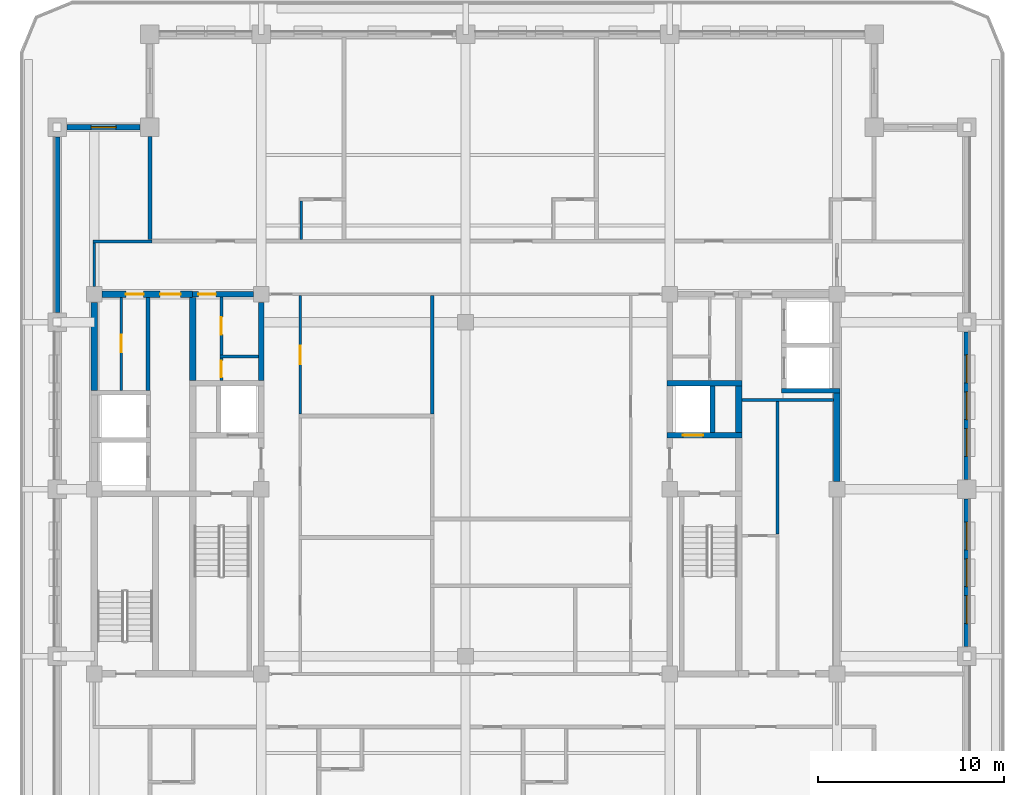
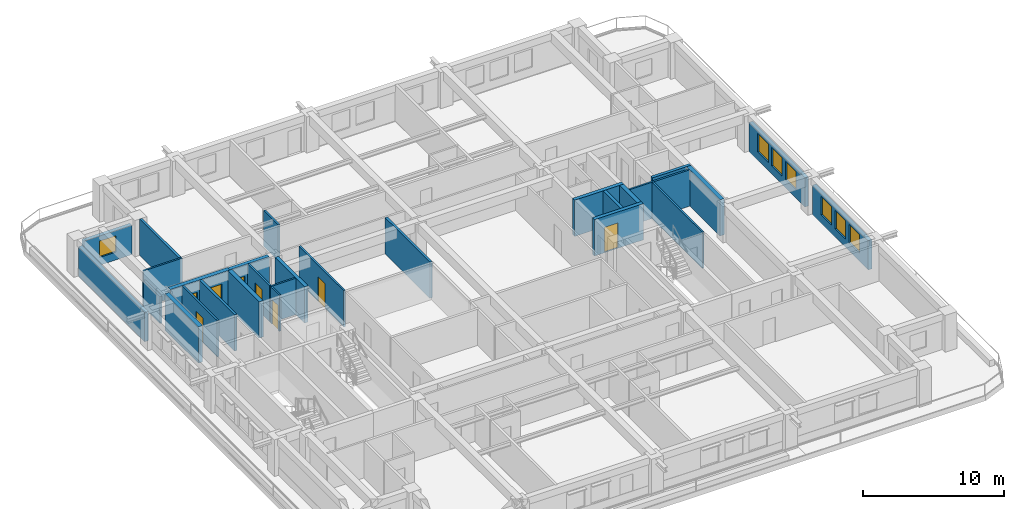
# One storey, part 5 of 13: 28 walls, 8 doors, 7 windows, 15 openings.
"""IFC4 building model written with IfcOpenShell, lengths in metres."""

from ifc_helpers import new_model, si_unit, direction, frame, frame_2d, origin, place, context, subcontext, project, spatial, rectangle, extrude, material, layer, layer_set, type_object, element, fill, save


model = new_model("IFC4")

# Units and contexts
model_context = context("Model", 3, precision=1e-05, world=origin(), true_north=direction((0.0, 1.0)))
body_context = subcontext(model_context, "Body", "Model", "MODEL_VIEW")
ifc_project = project(units=[si_unit("LENGTHUNIT", "METRE"), si_unit("AREAUNIT", "SQUARE_METRE"), si_unit("VOLUMEUNIT", "CUBIC_METRE"), si_unit("PLANEANGLEUNIT", "RADIAN"), si_unit("MASSUNIT", "GRAM", prefix="KILO")], contexts=[model_context])

# Site, building, storey
site_placement = place(None, origin())
site = spatial("IfcSite", under=ifc_project, at=site_placement, CompositionType="ELEMENT")
building_placement = place(site_placement, origin())
building = spatial("IfcBuilding", under=site, at=building_placement, Name="Zulmaris Gate Convention Tower", CompositionType="ELEMENT")
storey_placement = place(building_placement, frame((0.0, 0.0, 176.259765625)))
storey = spatial("IfcBuildingStorey", under=building, at=storey_placement, Name="L45", CompositionType="ELEMENT", Elevation=176.259765625)

# Walls
ifc_material_1 = material(Name="Concrete C50/60", Category="concrete")
ifc_layer_1 = layer(ifc_material_1, 0.25, Name="Concrete C50/60")
ifc_layer_set_1 = layer_set([ifc_layer_1], Name="Concrete C50/60")
wall_type_1 = type_object("IfcWallType", Name="CORE-250", PredefinedType="SOLIDWALL", material=ifc_layer_set_1)
wall_1_placement = place(storey_placement, frame((17.02490234375, 5.300048828125, 0.0), z_axis=(0.0, 0.0, 1.0), x_axis=(1.0, 0.0, 0.0)))
element("IfcWall", 1, at=wall_1_placement, inside=storey, type_object=wall_type_1, Name="WL-L45-011", PredefinedType="SOLIDWALL", context=body_context, shape_type="SweptSolid", body=[
    extrude(rectangle(XDim=3.150146484375, YDim=0.25, at=frame_2d((1.5751953125, 0.0))), origin(), (0.0, 0.0, 1.0), 3.150146484375),
])
wall_2_placement = place(storey_placement, frame((13.300048828125, 3.052001953125, 0.0), z_axis=(0.0, 0.0, 1.0), x_axis=(0.0, 1.0, 0.0)))
element("IfcWall", 2, at=wall_2_placement, inside=storey, type_object=wall_type_1, Name="WL-L45-064", PredefinedType="SOLIDWALL", context=body_context, shape_type="SweptSolid", body=[
    extrude(rectangle(XDim=2.49609375, YDim=0.25, at=frame_2d((1.248046875, 0.0))), origin(), (0.0, 0.0, 1.0), 3.150146484375),
])

# Wall, opening, door
ifc_layer_2 = layer(ifc_material_1, 0.300048828125, Name="Concrete C50/60")
ifc_layer_set_2 = layer_set([ifc_layer_2], Name="Concrete C50/60")
wall_type_2 = type_object("IfcWallType", Name="CORE-300", PredefinedType="SHEAR", material=ifc_layer_set_2)
wall_3_placement = place(storey_placement, frame((10.85009765625, 2.89990234375, 0.0), z_axis=(0.0, 0.0, 1.0), x_axis=(1.0, 0.0, 0.0)))
wall_3 = element("IfcWall", 3, at=wall_3_placement, inside=storey, type_object=wall_type_2, Name="WL-L45-009", PredefinedType="SHEAR", context=body_context, shape_type="SweptSolid", body=[
    extrude(rectangle(XDim=4.02490234375, YDim=0.300048828125, at=frame_2d((2.012451171875, 0.0))), origin(), (0.0, 0.0, 1.0), 3.150146484375),
])
opening_1_placement = place(wall_3_placement, frame((0.85009765625, 0.0, 0.0)))
opening_1 = element("IfcOpeningElement", 4, at=opening_1_placement, cuts=wall_3, Name="Opening D-06", PredefinedType="OPENING", context=body_context, shape_type="SweptSolid", body=[
    extrude(rectangle(XDim=1.10009765625, YDim=2.199951171875, at=frame_2d((0.550048828125, 1.10009765625))), frame((0.0, 0.16015625, 0.0), z_axis=(0.0, -1.0, 0.0), x_axis=(1.0, 0.0, 0.0)), (0.0, 0.0, 1.0), 0.320068359375),
])
ifc_material_2 = material(Name="Brushed Stainless Steel", Category="steel")
door_type_1 = type_object("IfcDoorType", Name="LD-1100", OperationType="NOTDEFINED", PredefinedType="DOOR", material=ifc_material_2)
door_1_placement = place(opening_1_placement, origin())
door_1 = element("IfcDoor", 5, at=door_1_placement, inside=storey, type_object=door_type_1, Name="L45 Lift Landing Door LF-02 06", OperationType="SLIDING_TO_RIGHT", OverallHeight=2.199951171875, OverallWidth=1.10009765625, PredefinedType="DOOR", context=body_context, shape_type="SweptSolid", body=[
    extrude(rectangle(XDim=1.10009765625, YDim=2.199951171875, at=frame_2d((0.550048828125, 1.10009765625))), frame((0.0, 0.02490234375, 0.0), z_axis=(0.0, -1.0, 0.0), x_axis=(1.0, 0.0, 0.0)), (0.0, 0.0, 1.0), 0.050048828125),
])
fill(opening_1, door_1)

# Wall
wall_4_placement = place(storey_placement, frame((10.85009765625, 5.699951171875, 0.0), z_axis=(0.0, 0.0, 1.0), x_axis=(1.0, 0.0, 0.0)))
element("IfcWall", 6, at=wall_4_placement, inside=storey, type_object=wall_type_2, Name="WL-L45-013", PredefinedType="SHEAR", context=body_context, shape_type="SweptSolid", body=[
    extrude(rectangle(XDim=4.02490234375, YDim=0.300048828125, at=frame_2d((2.012451171875, 0.0))), origin(), (0.0, 0.0, 1.0), 3.150146484375),
])

# Wall, opening, door
wall_5_placement = place(storey_placement, frame((-14.699951171875, 10.5, 0.0), z_axis=(0.0, 0.0, 1.0), x_axis=(1.0, 0.0, 0.0)))
wall_5 = element("IfcWall", 7, at=wall_5_placement, inside=storey, type_object=wall_type_2, Name="WL-L45-016", PredefinedType="SHEAR", context=body_context, shape_type="SweptSolid", body=[
    extrude(rectangle(XDim=3.27099609375, YDim=0.300048828125, at=frame_2d((1.635498046875, 0.0))), origin(), (0.0, 0.0, 1.0), 3.150146484375),
])
opening_2_placement = place(wall_5_placement, frame((0.304931640625, 0.0, 0.0)))
opening_2 = element("IfcOpeningElement", 8, at=opening_2_placement, cuts=wall_5, Name="Opening D-11", PredefinedType="OPENING", context=body_context, shape_type="SweptSolid", body=[
    extrude(rectangle(XDim=0.949951171875, YDim=2.14990234375, at=frame_2d((0.47509765625, 1.074951171875))), frame((0.0, 0.16015625, 0.0), z_axis=(0.0, -1.0, 0.0), x_axis=(1.0, 0.0, 0.0)), (0.0, 0.0, 1.0), 0.320068359375),
])
ifc_material_3 = material(Name="Fire-Rated Timber", Category="wood")
door_type_2 = type_object("IfcDoorType", Name="DR-950-FD", OperationType="NOTDEFINED", PredefinedType="DOOR", material=ifc_material_3)
door_2_placement = place(opening_2_placement, origin())
door_2 = element("IfcDoor", 9, at=door_2_placement, inside=storey, type_object=door_type_2, Name="L45 Core West Passage Door 07", OperationType="SINGLE_SWING_RIGHT", OverallHeight=2.14990234375, OverallWidth=0.949951171875, PredefinedType="DOOR", context=body_context, shape_type="SweptSolid", body=[
    extrude(rectangle(XDim=0.949951171875, YDim=2.14990234375, at=frame_2d((0.47509765625, 1.074951171875))), frame((0.0, 0.02490234375, 0.0), z_axis=(0.0, -1.0, 0.0), x_axis=(1.0, 0.0, 0.0)), (0.0, 0.0, 1.0), 0.050048828125),
])
fill(opening_2, door_2)

# Wall
wall_6_placement = place(storey_placement, frame((-11.0, 5.85205078125, 0.0), z_axis=(0.0, 0.0, 1.0), x_axis=(0.0, 1.0, 0.0)))
element("IfcWall", 10, at=wall_6_placement, inside=storey, type_object=wall_type_2, Name="WL-L45-058", PredefinedType="SHEAR", context=body_context, shape_type="SweptSolid", body=[
    extrude(rectangle(XDim=4.218994140625, YDim=0.300048828125, at=frame_2d((2.109375, 0.0))), origin(), (0.0, 0.0, 1.0), 3.150146484375),
])

# Wall, openings, doors
ifc_material_4 = material(Name="Concrete C55/67", Category="concrete")
ifc_layer_3 = layer(ifc_material_4, 0.35009765625, Name="Concrete C55/67")
ifc_layer_set_3 = layer_set([ifc_layer_3], Name="Concrete C55/67")
wall_type_3 = type_object("IfcWallType", Name="CORE-350", PredefinedType="SHEAR", material=ifc_layer_set_3)
wall_7_placement = place(storey_placement, frame((-19.571044921875, 10.5, 0.0), z_axis=(0.0, 0.0, 1.0), x_axis=(1.0, 0.0, 0.0)))
wall_7 = element("IfcWall", 11, at=wall_7_placement, inside=storey, type_object=wall_type_3, Name="WL-L45-015", PredefinedType="SHEAR", context=body_context, shape_type="SweptSolid", body=[
    extrude(rectangle(XDim=4.87109375, YDim=0.35009765625, at=frame_2d((2.435546875, 0.0))), origin(), (0.0, 0.0, 1.0), 3.150146484375),
])
opening_3_placement = place(wall_7_placement, frame((3.12109375, 0.0, 0.0)))
opening_3 = element("IfcOpeningElement", 12, at=opening_3_placement, cuts=wall_7, Name="Opening D-08", PredefinedType="OPENING", context=body_context, shape_type="SweptSolid", body=[
    extrude(rectangle(XDim=1.10009765625, YDim=2.14990234375, at=frame_2d((0.550048828125, 1.074951171875))), frame((0.0, 0.18505859375, 0.0), z_axis=(0.0, -1.0, 0.0), x_axis=(1.0, 0.0, 0.0)), (0.0, 0.0, 1.0), 0.3701171875),
])
opening_4_placement = place(wall_7_placement, frame((1.27587890625, 0.0, 0.0)))
opening_4 = element("IfcOpeningElement", 13, at=opening_4_placement, cuts=wall_7, Name="Opening D-11", PredefinedType="OPENING", context=body_context, shape_type="SweptSolid", body=[
    extrude(rectangle(XDim=0.949951171875, YDim=2.14990234375, at=frame_2d((0.47509765625, 1.074951171875))), frame((0.0, 0.18505859375, 0.0), z_axis=(0.0, -1.0, 0.0), x_axis=(1.0, 0.0, 0.0)), (0.0, 0.0, 1.0), 0.3701171875),
])
ifc_material_5 = material(Name="Fire-Rated Steel", Category="steel")
door_type_3 = type_object("IfcDoorType", Name="DR-1100-FD", OperationType="NOTDEFINED", PredefinedType="DOOR", material=ifc_material_5)
door_3_placement = place(opening_3_placement, origin())
door_3 = element("IfcDoor", 14, at=door_3_placement, inside=storey, type_object=door_type_3, Name="L45 High-Rise West Lift Lobby Door 16", OperationType="SINGLE_SWING_LEFT", OverallHeight=2.14990234375, OverallWidth=1.10009765625, PredefinedType="DOOR", context=body_context, shape_type="SweptSolid", body=[
    extrude(rectangle(XDim=1.10009765625, YDim=2.14990234375, at=frame_2d((0.550048828125, 1.074951171875))), frame((0.0, 0.02490234375, 0.0), z_axis=(0.0, -1.0, 0.0), x_axis=(1.0, 0.0, 0.0)), (0.0, 0.0, 1.0), 0.050048828125),
])
fill(opening_3, door_3)
door_4_placement = place(opening_4_placement, origin())
door_4 = element("IfcDoor", 15, at=door_4_placement, inside=storey, type_object=door_type_2, Name="L45 Tray Closet Door 17", OperationType="SINGLE_SWING_RIGHT", OverallHeight=2.14990234375, OverallWidth=0.949951171875, PredefinedType="DOOR", context=body_context, shape_type="SweptSolid", body=[
    extrude(rectangle(XDim=0.949951171875, YDim=2.14990234375, at=frame_2d((0.47509765625, 1.074951171875))), frame((0.0, 0.02490234375, 0.0), z_axis=(0.0, -1.0, 0.0), x_axis=(1.0, 0.0, 0.0)), (0.0, 0.0, 1.0), 0.050048828125),
])
fill(opening_4, door_4)

# Walls
wall_8_placement = place(storey_placement, frame((-20.0, 5.326904296875, 0.0), z_axis=(0.0, 0.0, 1.0), x_axis=(0.0, 1.0, 0.0)))
element("IfcWall", 16, at=wall_8_placement, inside=storey, type_object=wall_type_3, Name="WL-L45-045", PredefinedType="SHEAR", context=body_context, shape_type="SweptSolid", body=[
    extrude(rectangle(XDim=4.744140625, YDim=0.35009765625, at=frame_2d((2.3720703125, 0.0))), origin(), (0.0, 0.0, 1.0), 3.150146484375),
])
wall_9_placement = place(storey_placement, frame((-14.699951171875, 5.85205078125, 0.0), z_axis=(0.0, 0.0, 1.0), x_axis=(0.0, 1.0, 0.0)))
element("IfcWall", 17, at=wall_9_placement, inside=storey, type_object=wall_type_3, Name="WL-L45-052", PredefinedType="SHEAR", context=body_context, shape_type="SweptSolid", body=[
    extrude(rectangle(XDim=4.470947265625, YDim=0.35009765625, at=frame_2d((2.2353515625, 0.0))), origin(), (0.0, 0.0, 1.0), 3.150146484375),
])
wall_10_placement = place(storey_placement, frame((14.699951171875, 3.052001953125, 0.0), z_axis=(0.0, 0.0, 1.0), x_axis=(0.0, 1.0, 0.0)))
element("IfcWall", 18, at=wall_10_placement, inside=storey, type_object=wall_type_3, Name="WL-L45-067", PredefinedType="SHEAR", context=body_context, shape_type="SweptSolid", body=[
    extrude(rectangle(XDim=2.49609375, YDim=0.35009765625, at=frame_2d((1.248046875, 0.0))), origin(), (0.0, 0.0, 1.0), 3.150146484375),
])
wall_11_placement = place(storey_placement, frame((20.0, 0.428955078125, 0.0), z_axis=(0.0, 0.0, 1.0), x_axis=(0.0, 1.0, 0.0)))
element("IfcWall", 19, at=wall_11_placement, inside=storey, type_object=wall_type_3, Name="WL-L45-071S1", PredefinedType="SHEAR", context=body_context, shape_type="SweptSolid", body=[
    extrude(rectangle(XDim=4.744140625, YDim=0.35009765625, at=frame_2d((2.3720703125, 0.0))), origin(), (0.0, 0.0, 1.0), 3.150146484375),
])
ifc_material_6 = material(Name="Gypsum Metal Stud Partition")
ifc_layer_4 = layer(ifc_material_6, 0.14990234375, Name="Gypsum Metal Stud Partition")
ifc_layer_set_4 = layer_set([ifc_layer_4], Name="Gypsum Metal Stud Partition")
wall_type_4 = type_object("IfcWallType", Name="PART-150", PredefinedType="PARTITIONING", material=ifc_layer_set_4)
wall_12_placement = place(storey_placement, frame((14.8779296875, 4.800048828125, 0.0), z_axis=(0.0, 0.0, 1.0), x_axis=(1.0, 0.0, 0.0)))
element("IfcWall", 20, at=wall_12_placement, inside=storey, type_object=wall_type_4, Name="WL-L45-031", PredefinedType="PARTITIONING", context=body_context, shape_type="SweptSolid", body=[
    extrude(rectangle(XDim=4.944091796875, YDim=0.14990234375, at=frame_2d((2.47216796875, 0.0))), origin(), (0.0, 0.0, 1.0), 3.150146484375),
])
wall_13_placement = place(storey_placement, frame((-13.22509765625, 7.14990234375, 0.0), z_axis=(0.0, 0.0, 1.0), x_axis=(1.0, 0.0, 0.0)))
element("IfcWall", 21, at=wall_13_placement, inside=storey, type_object=wall_type_4, Name="WL-L45-032", PredefinedType="PARTITIONING", context=body_context, shape_type="SweptSolid", body=[
    extrude(rectangle(XDim=2.072021484375, YDim=0.14990234375, at=frame_2d((1.0361328125, 0.0))), origin(), (0.0, 0.0, 1.0), 3.150146484375),
])
wall_14_placement = place(storey_placement, frame((-20.074951171875, 13.35009765625, 0.0), z_axis=(0.0, 0.0, 1.0), x_axis=(1.0, 0.0, 0.0)))
element("IfcWall", 22, at=wall_14_placement, inside=storey, type_object=wall_type_4, Name="WL-L45-036", PredefinedType="PARTITIONING", context=body_context, shape_type="SweptSolid", body=[
    extrude(rectangle(XDim=3.175048828125, YDim=0.14990234375, at=frame_2d((1.58740234375, 0.0))), origin(), (0.0, 0.0, 1.0), 3.150146484375),
])
wall_15_placement = place(storey_placement, frame((-20.0, 10.930908203125, 0.0), z_axis=(0.0, 0.0, 1.0), x_axis=(0.0, 1.0, 0.0)))
element("IfcWall", 23, at=wall_15_placement, inside=storey, type_object=wall_type_4, Name="WL-L45-075", PredefinedType="PARTITIONING", context=body_context, shape_type="SweptSolid", body=[
    extrude(rectangle(XDim=2.341064453125, YDim=0.14990234375, at=frame_2d((1.17041015625, 0.0))), origin(), (0.0, 0.0, 1.0), 2.342041015625),
])

# Wall, opening, door
wall_16_placement = place(storey_placement, frame((-18.550048828125, 5.327880859375, 0.0), z_axis=(0.0, 0.0, 1.0), x_axis=(0.0, 1.0, 0.0)))
wall_16 = element("IfcWall", 24, at=wall_16_placement, inside=storey, type_object=wall_type_4, Name="WL-L45-076", PredefinedType="PARTITIONING", context=body_context, shape_type="SweptSolid", body=[
    extrude(rectangle(XDim=4.994140625, YDim=0.14990234375, at=frame_2d((2.4970703125, 0.0))), origin(), (0.0, 0.0, 1.0), 3.150146484375),
])
opening_5_placement = place(wall_16_placement, frame((2.047119140625, 0.0, 0.0)))
opening_5 = element("IfcOpeningElement", 25, at=opening_5_placement, cuts=wall_16, Name="Opening D-11", PredefinedType="OPENING", context=body_context, shape_type="SweptSolid", body=[
    extrude(rectangle(XDim=0.949951171875, YDim=2.14990234375, at=frame_2d((0.47509765625, 1.074951171875))), frame((0.0, 0.0849609375, 0.0), z_axis=(0.0, -1.0, 0.0), x_axis=(1.0, 0.0, 0.0)), (0.0, 0.0, 1.0), 0.169921875),
])
door_5_placement = place(opening_5_placement, origin())
door_5 = element("IfcDoor", 26, at=door_5_placement, inside=storey, type_object=door_type_2, Name="L45 Housekeeping Door 18", OperationType="SINGLE_SWING_LEFT", OverallHeight=2.14990234375, OverallWidth=0.949951171875, PredefinedType="DOOR", context=body_context, shape_type="SweptSolid", body=[
    extrude(rectangle(XDim=0.949951171875, YDim=2.14990234375, at=frame_2d((0.47509765625, 1.074951171875))), frame((0.0, 0.02490234375, 0.0), z_axis=(0.0, -1.0, 0.0), x_axis=(1.0, 0.0, 0.0)), (0.0, 0.0, 1.0), 0.050048828125),
])
fill(opening_5, door_5)

wall_17_placement = place(storey_placement, frame((-13.14990234375, 5.85302734375, 0.0), z_axis=(0.0, 0.0, 1.0), x_axis=(0.0, 1.0, 0.0)))
wall_17 = element("IfcWall", 27, at=wall_17_placement, inside=storey, type_object=wall_type_4, Name="WL-L45-082", PredefinedType="PARTITIONING", context=body_context, shape_type="SweptSolid", body=[
    extrude(rectangle(XDim=1.218994140625, YDim=0.14990234375, at=frame_2d((0.609375, 0.0))), origin(), (0.0, 0.0, 1.0), 3.150146484375),
])
opening_6_placement = place(wall_17_placement, frame((0.1689453125, 0.0, 0.0)))
opening_6 = element("IfcOpeningElement", 28, at=opening_6_placement, cuts=wall_17, Name="Opening D-12", PredefinedType="OPENING", context=body_context, shape_type="SweptSolid", body=[
    extrude(rectangle(XDim=0.89990234375, YDim=2.14990234375, at=frame_2d((0.449951171875, 1.074951171875))), frame((0.0, 0.0849609375, 0.0), z_axis=(0.0, -1.0, 0.0), x_axis=(1.0, 0.0, 0.0)), (0.0, 0.0, 1.0), 0.169921875),
])
door_type_4 = type_object("IfcDoorType", Name="DR-900-FD", OperationType="NOTDEFINED", PredefinedType="DOOR", material=ifc_material_3)
door_6_placement = place(opening_6_placement, origin())
door_6 = element("IfcDoor", 29, at=door_6_placement, inside=storey, type_object=door_type_4, Name="L45 Stationery Closet Door 08", OperationType="SINGLE_SWING_LEFT", OverallHeight=2.14990234375, OverallWidth=0.89990234375, PredefinedType="DOOR", context=body_context, shape_type="SweptSolid", body=[
    extrude(rectangle(XDim=0.89990234375, YDim=2.14990234375, at=frame_2d((0.449951171875, 1.074951171875))), frame((0.0, 0.02490234375, 0.0), z_axis=(0.0, -1.0, 0.0), x_axis=(1.0, 0.0, 0.0)), (0.0, 0.0, 1.0), 0.050048828125),
])
fill(opening_6, door_6)

wall_18_placement = place(storey_placement, frame((-13.14990234375, 7.22802734375, 0.0), z_axis=(0.0, 0.0, 1.0), x_axis=(0.0, 1.0, 0.0)))
wall_18 = element("IfcWall", 30, at=wall_18_placement, inside=storey, type_object=wall_type_4, Name="WL-L45-083", PredefinedType="PARTITIONING", context=body_context, shape_type="SweptSolid", body=[
    extrude(rectangle(XDim=3.118896484375, YDim=0.14990234375, at=frame_2d((1.5595703125, 0.0))), origin(), (0.0, 0.0, 1.0), 3.150146484375),
])
opening_7_placement = place(wall_18_placement, frame((1.096923828125, 0.0, 0.0)))
opening_7 = element("IfcOpeningElement", 31, at=opening_7_placement, cuts=wall_18, Name="Opening D-11", PredefinedType="OPENING", context=body_context, shape_type="SweptSolid", body=[
    extrude(rectangle(XDim=0.949951171875, YDim=2.14990234375, at=frame_2d((0.47509765625, 1.074951171875))), frame((0.0, 0.0849609375, 0.0), z_axis=(0.0, -1.0, 0.0), x_axis=(1.0, 0.0, 0.0)), (0.0, 0.0, 1.0), 0.169921875),
])
door_7_placement = place(opening_7_placement, origin())
door_7 = element("IfcDoor", 32, at=door_7_placement, inside=storey, type_object=door_type_2, Name="L45 Meter Closet Door 09", OperationType="SINGLE_SWING_RIGHT", OverallHeight=2.14990234375, OverallWidth=0.949951171875, PredefinedType="DOOR", context=body_context, shape_type="SweptSolid", body=[
    extrude(rectangle(XDim=0.949951171875, YDim=2.14990234375, at=frame_2d((0.47509765625, 1.074951171875))), frame((0.0, 0.02490234375, 0.0), z_axis=(0.0, -1.0, 0.0), x_axis=(1.0, 0.0, 0.0)), (0.0, 0.0, 1.0), 0.050048828125),
])
fill(opening_7, door_7)

wall_19_placement = place(storey_placement, frame((-8.89990234375, 4.052978515625, 0.0), z_axis=(0.0, 0.0, 1.0), x_axis=(0.0, 1.0, 0.0)))
wall_19 = element("IfcWall", 33, at=wall_19_placement, inside=storey, type_object=wall_type_4, Name="WL-L45-086", PredefinedType="PARTITIONING", context=body_context, shape_type="SweptSolid", body=[
    extrude(rectangle(XDim=6.369140625, YDim=0.14990234375, at=frame_2d((3.1845703125, 0.0))), origin(), (0.0, 0.0, 1.0), 3.150146484375),
])
opening_8_placement = place(wall_19_placement, frame((2.6669921875, 0.0, 0.0)))
opening_8 = element("IfcOpeningElement", 34, at=opening_8_placement, cuts=wall_19, Name="Opening D-10", PredefinedType="OPENING", context=body_context, shape_type="SweptSolid", body=[
    extrude(rectangle(XDim=1.0, YDim=2.14990234375, at=frame_2d((0.5, 1.074951171875))), frame((0.0, 0.0849609375, 0.0), z_axis=(0.0, -1.0, 0.0), x_axis=(1.0, 0.0, 0.0)), (0.0, 0.0, 1.0), 0.169921875),
])
door_type_5 = type_object("IfcDoorType", Name="DR-1000-FD", OperationType="NOTDEFINED", PredefinedType="DOOR", material=ifc_material_3)
door_8_placement = place(opening_8_placement, origin())
door_8 = element("IfcDoor", 35, at=door_8_placement, inside=storey, type_object=door_type_5, Name="L45 Club Lounge Door 42", OperationType="SINGLE_SWING_LEFT", OverallHeight=2.14990234375, OverallWidth=1.0, PredefinedType="DOOR", context=body_context, shape_type="SweptSolid", body=[
    extrude(rectangle(XDim=1.0, YDim=2.14990234375, at=frame_2d((0.5, 1.074951171875))), frame((0.0, 0.02490234375, 0.0), z_axis=(0.0, -1.0, 0.0), x_axis=(1.0, 0.0, 0.0)), (0.0, 0.0, 1.0), 0.050048828125),
])
fill(opening_8, door_8)

# Walls
wall_20_placement = place(storey_placement, frame((-8.85009765625, 13.452880859375, 0.0), z_axis=(0.0, 0.0, 1.0), x_axis=(0.0, 1.0, 0.0)))
element("IfcWall", 36, at=wall_20_placement, inside=storey, type_object=wall_type_4, Name="WL-L45-087", PredefinedType="PARTITIONING", context=body_context, shape_type="SweptSolid", body=[
    extrude(rectangle(XDim=2.069091796875, YDim=0.14990234375, at=frame_2d((1.03466796875, 0.0))), origin(), (0.0, 0.0, 1.0), 3.150146484375),
])
wall_21_placement = place(storey_placement, frame((16.800048828125, -2.422119140625, 0.0), z_axis=(0.0, 0.0, 1.0), x_axis=(0.0, 1.0, 0.0)))
element("IfcWall", 37, at=wall_21_placement, inside=storey, type_object=wall_type_4, Name="WL-L45-112", PredefinedType="PARTITIONING", context=body_context, shape_type="SweptSolid", body=[
    extrude(rectangle(XDim=7.14404296875, YDim=0.14990234375, at=frame_2d((3.572021484375, 0.0))), origin(), (0.0, 0.0, 1.0), 3.150146484375),
])
ifc_material_7 = material(Name="Autoclaved Aerated Concrete Block and Plasterboard", Category="concrete")
ifc_layer_5 = layer(ifc_material_7, 0.199951171875, Name="Autoclaved Aerated Concrete Block and Plasterboard")
ifc_layer_set_5 = layer_set([ifc_layer_5], Name="Autoclaved Aerated Concrete Block and Plasterboard")
wall_type_5 = type_object("IfcWallType", Name="PART-200", PredefinedType="PARTITIONING", material=ifc_layer_set_5)
wall_22_placement = place(storey_placement, frame((-17.10009765625, 5.327880859375, 0.0), z_axis=(0.0, 0.0, 1.0), x_axis=(0.0, 1.0, 0.0)))
element("IfcWall", 38, at=wall_22_placement, inside=storey, type_object=wall_type_5, Name="WL-L45-077", PredefinedType="PARTITIONING", context=body_context, shape_type="SweptSolid", body=[
    extrude(rectangle(XDim=4.994140625, YDim=0.199951171875, at=frame_2d((2.4970703125, 0.0))), origin(), (0.0, 0.0, 1.0), 3.150146484375),
])
wall_23_placement = place(storey_placement, frame((-17.0, 13.452880859375, 0.0), z_axis=(0.0, 0.0, 1.0), x_axis=(0.0, 1.0, 0.0)))
element("IfcWall", 39, at=wall_23_placement, inside=storey, type_object=wall_type_5, Name="WL-L45-080", PredefinedType="PARTITIONING", context=body_context, shape_type="SweptSolid", body=[
    extrude(rectangle(XDim=5.541015625, YDim=0.199951171875, at=frame_2d((2.7705078125, 0.0))), origin(), (0.0, 0.0, 1.0), 3.150146484375),
])
wall_24_placement = place(storey_placement, frame((-1.800048828125, 4.052978515625, 0.0), z_axis=(0.0, 0.0, 1.0), x_axis=(0.0, 1.0, 0.0)))
element("IfcWall", 40, at=wall_24_placement, inside=storey, type_object=wall_type_5, Name="WL-L45-097", PredefinedType="PARTITIONING", context=body_context, shape_type="SweptSolid", body=[
    extrude(rectangle(XDim=6.369140625, YDim=0.199951171875, at=frame_2d((3.1845703125, 0.0))), origin(), (0.0, 0.0, 1.0), 3.150146484375),
])

# Wall, opening, window
ifc_material_8 = material(Name="Precast concrete C40/50", Category="concrete")
ifc_layer_6 = layer(ifc_material_8, 0.300048828125, Name="Precast concrete C40/50")
ifc_layer_set_6 = layer_set([ifc_layer_6], Name="Precast concrete C40/50")
wall_type_6 = type_object("IfcWallType", Name="PRECAST-PIER-300", PredefinedType="STANDARD", material=ifc_layer_set_6)
wall_25_placement = place(storey_placement, frame((-17.530029296875, 19.5, 0.0), z_axis=(0.0, 0.0, 1.0), x_axis=(-1.0, 0.0, 0.0)))
wall_25 = element("IfcWall", 41, at=wall_25_placement, inside=storey, type_object=wall_type_6, Name="EW-L45-NOTCH-NW2_0", PredefinedType="STANDARD", context=body_context, shape_type="SweptSolid", body=[
    extrude(rectangle(XDim=3.93994140625, YDim=0.300048828125, at=frame_2d((1.969970703125, 0.0))), origin(), (0.0, 0.0, 1.0), 2.542236328125),
])
opening_9_placement = place(wall_25_placement, frame((1.294921875, 0.0, 0.679931640625)))
opening_9 = element("IfcOpeningElement", 42, at=opening_9_placement, cuts=wall_25, Name="Opening W-10", PredefinedType="OPENING", context=body_context, shape_type="SweptSolid", body=[
    extrude(rectangle(XDim=1.35009765625, YDim=1.419921875, at=frame_2d((0.675048828125, 0.7099609375))), frame((0.0, 0.16015625, 0.0), z_axis=(0.0, -1.0, 0.0), x_axis=(1.0, 0.0, 0.0)), (0.0, 0.0, 1.0), 0.320068359375),
])
ifc_material_9 = material(Name="Low-E Laminated Double Glazing in Aluminium Frame", Category="aluminium")
window_type_1 = type_object("IfcWindowType", Name="WIN-1350x2000", PartitioningType="SINGLE_PANEL", PredefinedType="WINDOW", material=ifc_material_9)
window_1_placement = place(opening_9_placement, origin())
window_1 = element("IfcWindow", 43, at=window_1_placement, inside=storey, type_object=window_type_1, Name="WN-EW-L45-NOTCH-NW2_0", OverallHeight=1.419921875, OverallWidth=1.35009765625, PartitioningType="SINGLE_PANEL", PredefinedType="WINDOW", context=body_context, shape_type="SweptSolid", body=[
    extrude(rectangle(XDim=1.35009765625, YDim=1.419921875, at=frame_2d((0.675048828125, 0.7099609375))), frame((0.0, 0.030029296875, 0.0), z_axis=(0.0, -1.0, 0.0), x_axis=(1.0, 0.0, 0.0)), (0.0, 0.0, 1.0), 0.06005859375),
])
fill(opening_9, window_1)

# Wall, openings, windows
wall_26_placement = place(storey_placement, frame((27.0, -8.469970703125, 0.0), z_axis=(0.0, 0.0, 1.0), x_axis=(0.0, 1.0, 0.0)))
wall_26 = element("IfcWall", 44, at=wall_26_placement, inside=storey, type_object=wall_type_6, Name="EW-L45-E-1_0", PredefinedType="STANDARD", context=body_context, shape_type="SweptSolid", body=[
    extrude(rectangle(XDim=7.93994140625, YDim=0.300048828125, at=frame_2d((3.969970703125, 0.0))), origin(), (0.0, 0.0, 1.0), 2.542236328125),
])
opening_10_placement = place(wall_26_placement, frame((1.235107421875, 0.0, 0.719970703125)))
opening_10 = element("IfcOpeningElement", 45, at=opening_10_placement, cuts=wall_26, Name="Opening W-03", PredefinedType="OPENING", context=body_context, shape_type="SweptSolid", body=[
    extrude(rectangle(XDim=1.5, YDim=1.60009765625, at=frame_2d((0.75, 0.800048828125))), frame((0.0, 0.16015625, 0.0), z_axis=(0.0, -1.0, 0.0), x_axis=(1.0, 0.0, 0.0)), (0.0, 0.0, 1.0), 0.320068359375),
])
opening_11_placement = place(wall_26_placement, frame((3.219970703125, 0.0, 0.719970703125)))
opening_11 = element("IfcOpeningElement", 46, at=opening_11_placement, cuts=wall_26, Name="Opening W-03", PredefinedType="OPENING", context=body_context, shape_type="SweptSolid", body=[
    extrude(rectangle(XDim=1.5, YDim=1.60009765625, at=frame_2d((0.75, 0.800048828125))), frame((0.0, 0.16015625, 0.0), z_axis=(0.0, -1.0, 0.0), x_axis=(1.0, 0.0, 0.0)), (0.0, 0.0, 1.0), 0.320068359375),
])
opening_12_placement = place(wall_26_placement, frame((5.205078125, 0.0, 0.719970703125)))
opening_12 = element("IfcOpeningElement", 47, at=opening_12_placement, cuts=wall_26, Name="Opening W-03", PredefinedType="OPENING", context=body_context, shape_type="SweptSolid", body=[
    extrude(rectangle(XDim=1.5, YDim=1.60009765625, at=frame_2d((0.75, 0.800048828125))), frame((0.0, 0.16015625, 0.0), z_axis=(0.0, -1.0, 0.0), x_axis=(1.0, 0.0, 0.0)), (0.0, 0.0, 1.0), 0.320068359375),
])
window_type_2 = type_object("IfcWindowType", Name="WIN-1500x2100", PartitioningType="SINGLE_PANEL", PredefinedType="WINDOW", material=ifc_material_9)
window_2_placement = place(opening_10_placement, origin())
window_2 = element("IfcWindow", 48, at=window_2_placement, inside=storey, type_object=window_type_2, Name="WN-EW-L45-E-1_0-1", OverallHeight=1.60009765625, OverallWidth=1.5, PartitioningType="SINGLE_PANEL", PredefinedType="WINDOW", context=body_context, shape_type="SweptSolid", body=[
    extrude(rectangle(XDim=1.5, YDim=1.60009765625, at=frame_2d((0.75, 0.800048828125))), frame((0.0, 0.030029296875, 0.0), z_axis=(0.0, -1.0, 0.0), x_axis=(1.0, 0.0, 0.0)), (0.0, 0.0, 1.0), 0.06005859375),
])
fill(opening_10, window_2)
window_3_placement = place(opening_11_placement, origin())
window_3 = element("IfcWindow", 49, at=window_3_placement, inside=storey, type_object=window_type_2, Name="WN-EW-L45-E-1_0-2", OverallHeight=1.60009765625, OverallWidth=1.5, PartitioningType="SINGLE_PANEL", PredefinedType="WINDOW", context=body_context, shape_type="SweptSolid", body=[
    extrude(rectangle(XDim=1.5, YDim=1.60009765625, at=frame_2d((0.75, 0.800048828125))), frame((0.0, 0.030029296875, 0.0), z_axis=(0.0, -1.0, 0.0), x_axis=(1.0, 0.0, 0.0)), (0.0, 0.0, 1.0), 0.06005859375),
])
fill(opening_11, window_3)
window_4_placement = place(opening_12_placement, origin())
window_4 = element("IfcWindow", 50, at=window_4_placement, inside=storey, type_object=window_type_2, Name="WN-EW-L45-E-1_0-3", OverallHeight=1.60009765625, OverallWidth=1.5, PartitioningType="SINGLE_PANEL", PredefinedType="WINDOW", context=body_context, shape_type="SweptSolid", body=[
    extrude(rectangle(XDim=1.5, YDim=1.60009765625, at=frame_2d((0.75, 0.800048828125))), frame((0.0, 0.030029296875, 0.0), z_axis=(0.0, -1.0, 0.0), x_axis=(1.0, 0.0, 0.0)), (0.0, 0.0, 1.0), 0.06005859375),
])
fill(opening_12, window_4)

wall_27_placement = place(storey_placement, frame((27.0, 0.530029296875, 0.0), z_axis=(0.0, 0.0, 1.0), x_axis=(0.0, 1.0, 0.0)))
wall_27 = element("IfcWall", 51, at=wall_27_placement, inside=storey, type_object=wall_type_6, Name="EW-L45-E-2_0", PredefinedType="STANDARD", context=body_context, shape_type="SweptSolid", body=[
    extrude(rectangle(XDim=7.93994140625, YDim=0.300048828125, at=frame_2d((3.969970703125, 0.0))), origin(), (0.0, 0.0, 1.0), 2.542236328125),
])
opening_13_placement = place(wall_27_placement, frame((1.235107421875, 0.0, 0.719970703125)))
opening_13 = element("IfcOpeningElement", 52, at=opening_13_placement, cuts=wall_27, Name="Opening W-03", PredefinedType="OPENING", context=body_context, shape_type="SweptSolid", body=[
    extrude(rectangle(XDim=1.5, YDim=1.60009765625, at=frame_2d((0.75, 0.800048828125))), frame((0.0, 0.16015625, 0.0), z_axis=(0.0, -1.0, 0.0), x_axis=(1.0, 0.0, 0.0)), (0.0, 0.0, 1.0), 0.320068359375),
])
opening_14_placement = place(wall_27_placement, frame((3.219970703125, 0.0, 0.719970703125)))
opening_14 = element("IfcOpeningElement", 53, at=opening_14_placement, cuts=wall_27, Name="Opening W-03", PredefinedType="OPENING", context=body_context, shape_type="SweptSolid", body=[
    extrude(rectangle(XDim=1.5, YDim=1.60009765625, at=frame_2d((0.75, 0.800048828125))), frame((0.0, 0.16015625, 0.0), z_axis=(0.0, -1.0, 0.0), x_axis=(1.0, 0.0, 0.0)), (0.0, 0.0, 1.0), 0.320068359375),
])
opening_15_placement = place(wall_27_placement, frame((5.205078125, 0.0, 0.719970703125)))
opening_15 = element("IfcOpeningElement", 54, at=opening_15_placement, cuts=wall_27, Name="Opening W-03", PredefinedType="OPENING", context=body_context, shape_type="SweptSolid", body=[
    extrude(rectangle(XDim=1.5, YDim=1.60009765625, at=frame_2d((0.75, 0.800048828125))), frame((0.0, 0.16015625, 0.0), z_axis=(0.0, -1.0, 0.0), x_axis=(1.0, 0.0, 0.0)), (0.0, 0.0, 1.0), 0.320068359375),
])
window_5_placement = place(opening_13_placement, origin())
window_5 = element("IfcWindow", 55, at=window_5_placement, inside=storey, type_object=window_type_2, Name="WN-EW-L45-E-2_0-1", OverallHeight=1.60009765625, OverallWidth=1.5, PartitioningType="SINGLE_PANEL", PredefinedType="WINDOW", context=body_context, shape_type="SweptSolid", body=[
    extrude(rectangle(XDim=1.5, YDim=1.60009765625, at=frame_2d((0.75, 0.800048828125))), frame((0.0, 0.030029296875, 0.0), z_axis=(0.0, -1.0, 0.0), x_axis=(1.0, 0.0, 0.0)), (0.0, 0.0, 1.0), 0.06005859375),
])
fill(opening_13, window_5)
window_6_placement = place(opening_14_placement, origin())
window_6 = element("IfcWindow", 56, at=window_6_placement, inside=storey, type_object=window_type_2, Name="WN-EW-L45-E-2_0-2", OverallHeight=1.60009765625, OverallWidth=1.5, PartitioningType="SINGLE_PANEL", PredefinedType="WINDOW", context=body_context, shape_type="SweptSolid", body=[
    extrude(rectangle(XDim=1.5, YDim=1.60009765625, at=frame_2d((0.75, 0.800048828125))), frame((0.0, 0.030029296875, 0.0), z_axis=(0.0, -1.0, 0.0), x_axis=(1.0, 0.0, 0.0)), (0.0, 0.0, 1.0), 0.06005859375),
])
fill(opening_14, window_6)
window_7_placement = place(opening_15_placement, origin())
window_7 = element("IfcWindow", 57, at=window_7_placement, inside=storey, type_object=window_type_2, Name="WN-EW-L45-E-2_0-3", OverallHeight=1.60009765625, OverallWidth=1.5, PartitioningType="SINGLE_PANEL", PredefinedType="WINDOW", context=body_context, shape_type="SweptSolid", body=[
    extrude(rectangle(XDim=1.5, YDim=1.60009765625, at=frame_2d((0.75, 0.800048828125))), frame((0.0, 0.030029296875, 0.0), z_axis=(0.0, -1.0, 0.0), x_axis=(1.0, 0.0, 0.0)), (0.0, 0.0, 1.0), 0.06005859375),
])
fill(opening_15, window_7)

# Wall
wall_28_placement = place(storey_placement, frame((-22.0, 18.969970703125, 0.0), z_axis=(0.0, 0.0, 1.0), x_axis=(0.0, -1.0, 0.0)))
element("IfcWall", 58, at=wall_28_placement, inside=storey, type_object=wall_type_6, Name="EW-L45-W-3_0", PredefinedType="STANDARD", context=body_context, shape_type="SweptSolid", body=[
    extrude(rectangle(XDim=9.43994140625, YDim=0.300048828125, at=frame_2d((4.719970703125, 0.0))), origin(), (0.0, 0.0, 1.0), 2.542236328125),
])

save(model, "model.ifc")
